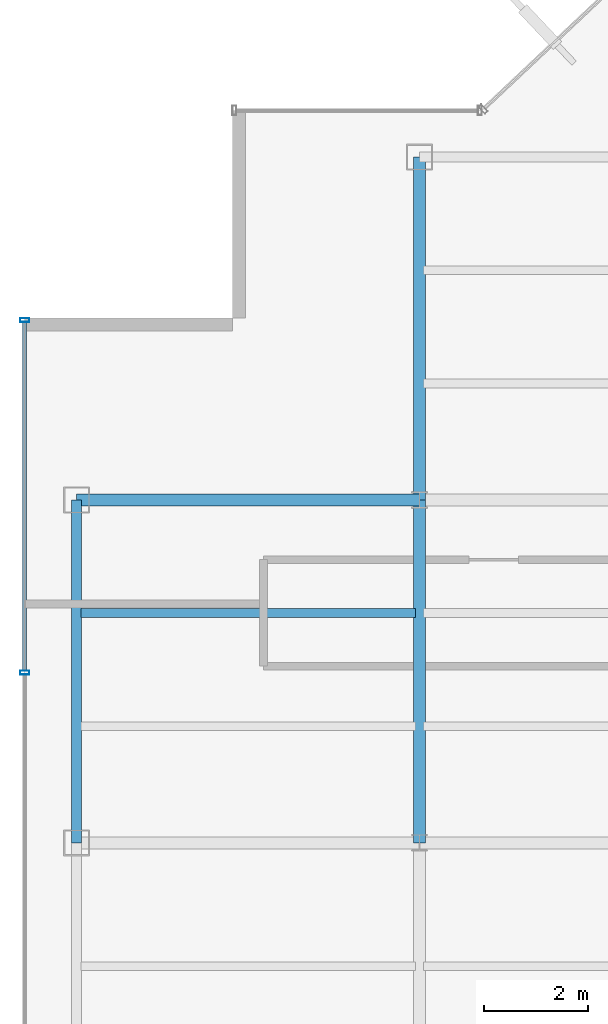
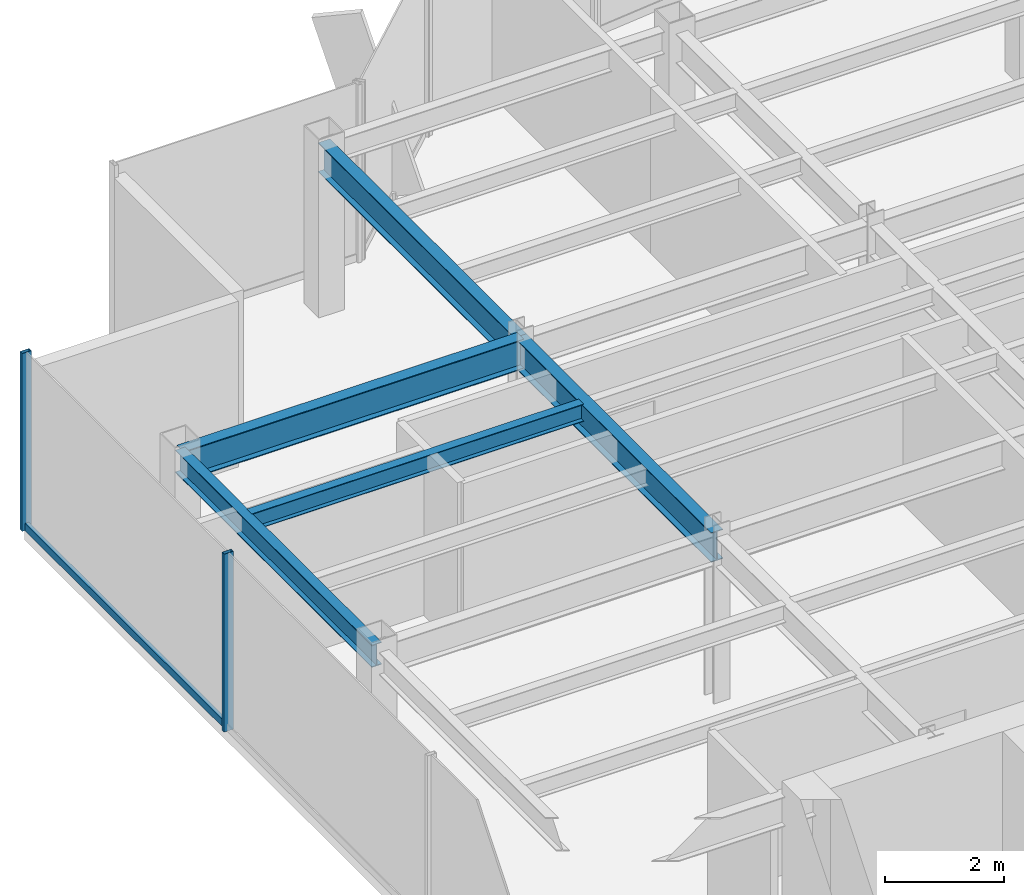
# One storey, part 7 of 22: 5 beams, 3 members, 1 element without a shape of its own.
"""IFC4 building model written with IfcOpenShell, lengths in metres."""

from ifc_helpers import new_model, si_unit, derived_unit, direction, frame, origin, origin_2d, place, context, subcontext, project, spatial, hollow_rectangle, i_section, extrude, source, transform, mapped, material, material_profile, profile_set, type_object, element, aggregate, save


model = new_model("IFC4")

# Units and contexts
model_context = context("Model", 3, precision=1e-05, world=origin(), true_north=direction((0.0, 1.0)))
body_context = subcontext(model_context, "Body", "Model", "MODEL_VIEW")
ifc_project = project(units=[si_unit("LENGTHUNIT", "METRE"), si_unit("AREAUNIT", "SQUARE_METRE"), si_unit("VOLUMEUNIT", "CUBIC_METRE"), si_unit("PLANEANGLEUNIT", "RADIAN"), si_unit("MASSUNIT", "GRAM", prefix="KILO"), derived_unit("THERMALTRANSMITTANCEUNIT", [(si_unit("POWERUNIT", "WATT"), 1), (si_unit("LENGTHUNIT", "METRE"), -2), (si_unit("THERMODYNAMICTEMPERATUREUNIT", "KELVIN"), -1)])], contexts=[model_context])

# Site, building, storey
site_placement = place(None, origin())
site = spatial("IfcSite", under=ifc_project, at=site_placement, CompositionType="ELEMENT")
building_placement = place(site_placement, origin())
building = spatial("IfcBuilding", under=site, at=building_placement, Name="Skarnbrae Concourse Arena and Tower", CompositionType="ELEMENT")
storey_placement = place(building_placement, frame((0.0, 0.0, 199.550048828125)))
storey = spatial("IfcBuildingStorey", under=building, at=storey_placement, Name="L51", CompositionType="ELEMENT", Elevation=199.550048828125)

# Beams
ifc_material_1 = material(Name="Steel CSA G40.21 350W", Category="steel")
ifc_material_profile_1 = material_profile(ifc_material_1, i_section(OverallWidth=0.22802734375, OverallDepth=0.60791015625, WebThickness=0.01123046875, FlangeThickness=0.017333984375, at=origin_2d()), Name="W610X113")
ifc_profile_set_1 = profile_set([ifc_material_profile_1], Name="Steel CSA G40.21 350W")
beam_type_1 = type_object("IfcBeamType", Name="BM-GIRD-W610X113", PredefinedType="BEAM", material=ifc_profile_set_1)
shared_shape_1 = source(origin(), body_context, "Body", "SweptSolid", [
    extrude(i_section(OverallWidth=0.22802734375, OverallDepth=0.60791015625, WebThickness=0.01123046875, FlangeThickness=0.017333984375, at=origin_2d()), origin(), (0.0, 0.0, 1.0), 6.60009765625),
])
for number, where, z_axis, x_axis, name in (
    (1, (1.0, 27.800048828125, 3.095947265625), (1.0, 0.0, 0.0), (0.0, 1.0, 0.0), "L51 Primary E-W girder Y27.8-1"),
    (2, (7.60009765625, 21.199951171875, 3.095947265625), (0.0, 1.0, 0.0), (-1.0, 0.0, 0.0), "L51 Primary N-S girder X7.6-2"),
):
    element("IfcBeam", number, at=place(storey_placement, frame(where, z_axis=z_axis, x_axis=x_axis)), inside=storey, type_object=beam_type_1, Name=name, PredefinedType="BEAM", context=body_context, shape_type="MappedRepresentation", body=[
        mapped(shared_shape_1, transform((0.0, 0.0, 0.0))),
    ])
ifc_material_profile_2 = material_profile(ifc_material_1, i_section(OverallWidth=0.19091796875, OverallDepth=0.4599609375, WebThickness=0.010009765625, FlangeThickness=0.01611328125, at=origin_2d()), Name="W460X82")
ifc_profile_set_2 = profile_set([ifc_material_profile_2], Name="Steel CSA G40.21 350W")
beam_type_2 = type_object("IfcBeamType", Name="BM-SPAN-W460X82", PredefinedType="SPANDREL", material=ifc_profile_set_2)
shared_shape_2 = source(origin(), body_context, "Body", "SweptSolid", [
    extrude(i_section(OverallWidth=0.19091796875, OverallDepth=0.4599609375, WebThickness=0.010009765625, FlangeThickness=0.01611328125, at=origin_2d()), origin(), (0.0, 0.0, 1.0), 6.60009765625),
])
beam_1_placement = place(storey_placement, frame((1.0, 21.199951171875, 3.169921875), z_axis=(0.0, 1.0, 0.0), x_axis=(-1.0, 0.0, 0.0)))
element("IfcBeam", 3, at=beam_1_placement, inside=storey, type_object=beam_type_2, Name="L51 Perimeter spandrel X1.0-3", PredefinedType="SPANDREL", context=body_context, shape_type="MappedRepresentation", body=[
    mapped(shared_shape_2, transform((0.0, 0.0, 0.0))),
])
shared_shape_3 = source(origin(), body_context, "Body", "SweptSolid", [
    extrude(i_section(OverallWidth=0.22802734375, OverallDepth=0.60791015625, WebThickness=0.01123046875, FlangeThickness=0.017333984375, at=origin_2d()), origin(), (0.0, 0.0, 1.0), 6.599853515625),
])
beam_2_placement = place(storey_placement, frame((7.60009765625, 27.800048828125, 3.095947265625), z_axis=(0.0, 1.0, 0.0), x_axis=(-1.0, 0.0, 0.0)))
element("IfcBeam", 4, at=beam_2_placement, inside=storey, type_object=beam_type_1, Name="L51 Primary N-S girder X7.6-3", PredefinedType="BEAM", context=body_context, shape_type="MappedRepresentation", body=[
    mapped(shared_shape_3, transform((0.0, 0.0, 0.0))),
])
ifc_material_profile_3 = material_profile(ifc_material_1, i_section(OverallWidth=0.1708984375, OverallDepth=0.35498046875, WebThickness=0.007080078125, FlangeThickness=0.01171875, at=origin_2d()), Name="W360X51")
ifc_profile_set_3 = profile_set([ifc_material_profile_3], Name="Steel CSA G40.21 350W")
beam_type_3 = type_object("IfcBeamType", Name="BM-JOIST-W360X51", PredefinedType="JOIST", material=ifc_profile_set_3)
shared_shape_4 = source(origin(), body_context, "Body", "SweptSolid", [
    extrude(i_section(OverallWidth=0.1708984375, OverallDepth=0.35498046875, WebThickness=0.007080078125, FlangeThickness=0.01171875, at=origin_2d()), origin(), (0.0, 0.0, 1.0), 6.43994140625),
])
beam_3_placement = place(storey_placement, frame((1.080078125, 25.6220703125, 3.222412109375), z_axis=(1.0, 0.0, 0.0), x_axis=(0.0, 1.0, 0.0)))
element("IfcBeam", 5, at=beam_3_placement, inside=storey, type_object=beam_type_3, Name="L51 Secondary floor joist 2.2.1", PredefinedType="JOIST", context=body_context, shape_type="MappedRepresentation", body=[
    mapped(shared_shape_4, transform((0.0, 0.0, 0.0))),
])

# Curtain wall, members
ifc_material_2 = material(Name="Bronze anodised aluminium 6063-T6", Category="aluminium")
curtain_wall_type = type_object("IfcCurtainWallType", Name="CW-SYS-05-HIGHZONE", PredefinedType="USERDEFINED", material=ifc_material_2)
curtain_wall_placement = place(storey_placement, origin())
curtain_wall = element("IfcCurtainWall", 6, at=curtain_wall_placement, inside=storey, type_object=curtain_wall_type, Name="L51 Unitised curtain wall CW-L51-E18", ObjectType="UNITISED CURTAIN WALL", PredefinedType="USERDEFINED")
ifc_material_profile_4 = material_profile(ifc_material_2, hollow_rectangle(XDim=0.074951171875, YDim=0.179931640625, WallThickness=0.00390625, at=origin_2d()), Name="ALU-MULL-75X180")
ifc_profile_set_4 = profile_set([ifc_material_profile_4], Name="Bronze anodised aluminium 6063-T6")
member_type_1 = type_object("IfcMemberType", Name="CWM-CW-05", PredefinedType="MULLION", material=ifc_profile_set_4)
shared_shape_5 = source(origin(), body_context, "Body", "SweptSolid", [
    extrude(hollow_rectangle(XDim=0.074951171875, YDim=0.179931640625, WallThickness=0.00390625, at=origin_2d()), origin(), (0.0, 0.0, 1.0), 3.64990234375),
])
member_1_placement = place(storey_placement, frame((0.0, 31.262451171875, 0.0), z_axis=(0.0, 0.0, 1.0), x_axis=(0.0, -1.0, 0.0)))
member_1 = element("IfcMember", 7, at=member_1_placement, type_object=member_type_1, Name="CW-L51-E18 Mullion 1", PredefinedType="MULLION", context=body_context, shape_type="MappedRepresentation", body=[
    mapped(shared_shape_5, transform((0.0, 0.0, 0.0))),
])
member_2_placement = place(storey_placement, frame((0.0, 24.47509765625, 0.0), z_axis=(0.0, 0.0, 1.0), x_axis=(0.0, -1.0, 0.0)))
member_2 = element("IfcMember", 8, at=member_2_placement, type_object=member_type_1, Name="CW-L51-E18 Mullion 2", PredefinedType="MULLION", context=body_context, shape_type="MappedRepresentation", body=[
    mapped(shared_shape_5, transform((0.0, 0.0, 0.0))),
])
ifc_material_profile_5 = material_profile(ifc_material_2, hollow_rectangle(XDim=0.074951171875, YDim=0.14990234375, WallThickness=0.00390625, at=origin_2d()), Name="ALU-TRAN-75X150")
ifc_profile_set_5 = profile_set([ifc_material_profile_5], Name="Bronze anodised aluminium 6063-T6")
member_type_2 = type_object("IfcMemberType", Name="CWT-CW-05", PredefinedType="USERDEFINED", material=ifc_profile_set_5)
shared_shape_6 = source(origin(), body_context, "Body", "SweptSolid", [
    extrude(hollow_rectangle(XDim=0.074951171875, YDim=0.14990234375, WallThickness=0.00390625, at=origin_2d()), origin(), (0.0, 0.0, 1.0), 6.712646484375),
])
member_3_placement = place(storey_placement, frame((0.0, 31.22509765625, 0.074951171875), z_axis=(0.0, -1.0, 0.0), x_axis=(1.0, 0.0, 0.0)))
member_3 = element("IfcMember", 9, at=member_3_placement, type_object=member_type_2, Name="CW-L51-E18 Transom 1", ObjectType="TRANSOM", PredefinedType="USERDEFINED", context=body_context, shape_type="MappedRepresentation", body=[
    mapped(shared_shape_6, transform((0.0, 0.0, 0.0))),
])
aggregate(curtain_wall, [member_1, member_2, member_3])

save(model, "model.ifc")
